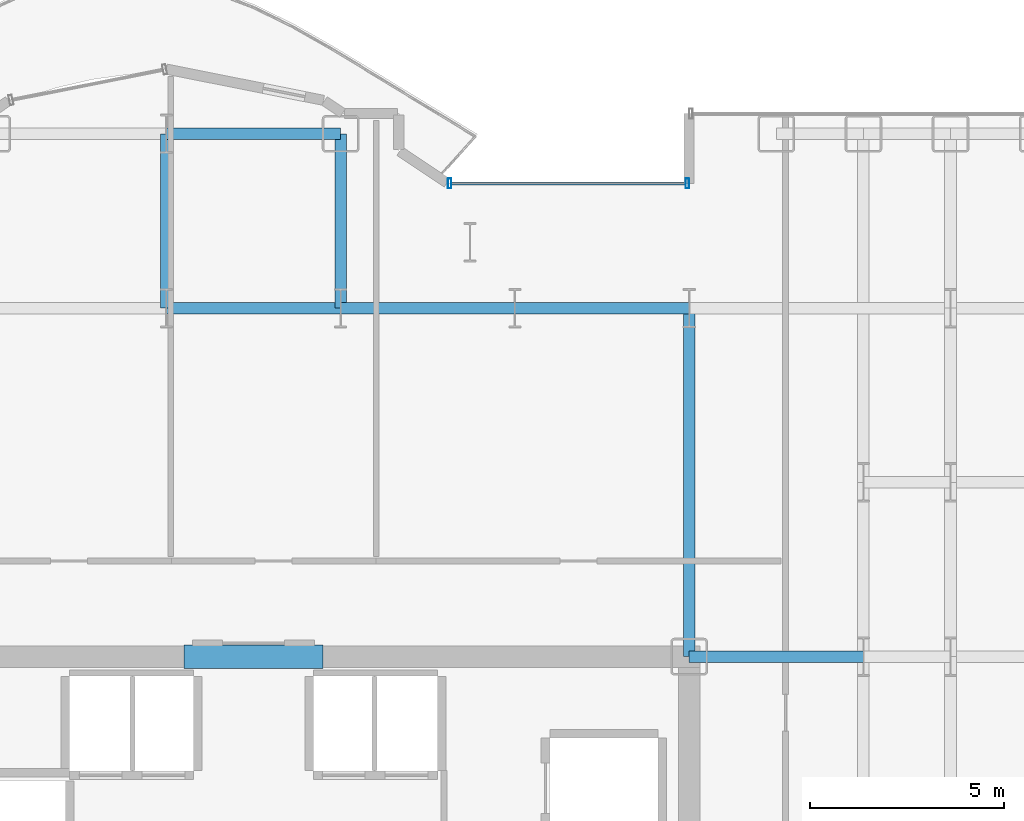
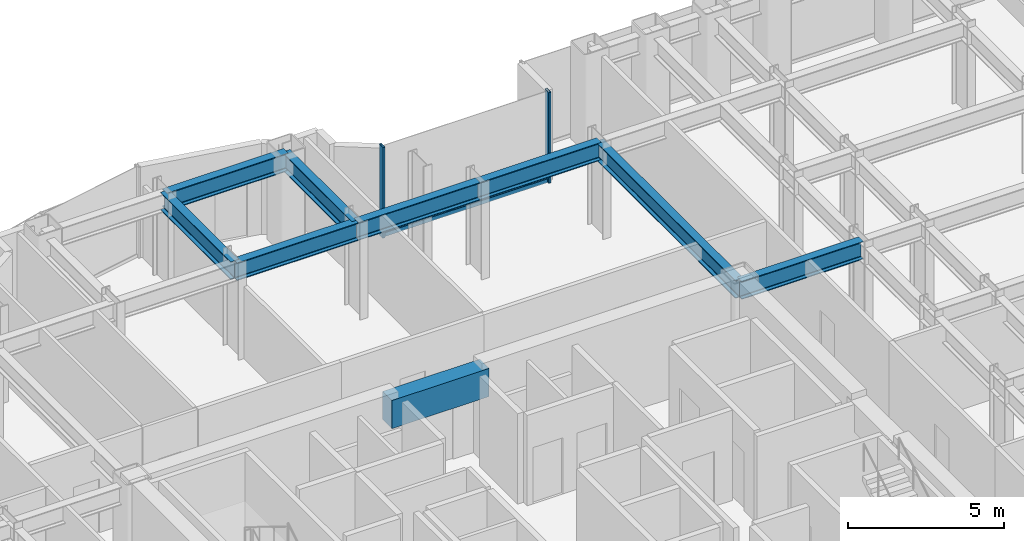
# One storey, part 14 of 28: 9 beams, 3 members, 1 element without a shape of its own.
"""IFC4 building model written with IfcOpenShell, lengths in metres."""

from ifc_helpers import new_model, si_unit, direction, frame, origin, origin_2d, place, context, subcontext, project, spatial, rectangle, hollow_rectangle, i_section, extrude, source, transform, mapped, material, layer, layer_set, material_profile, profile_set, type_object, element, aggregate, save


model = new_model("IFC4")

# Units and contexts
model_context = context("Model", 3, precision=1e-05, world=origin(), true_north=direction((0.0, 1.0)))
body_context = subcontext(model_context, "Body", "Model", "MODEL_VIEW")
ifc_project = project(units=[si_unit("LENGTHUNIT", "METRE"), si_unit("AREAUNIT", "SQUARE_METRE"), si_unit("VOLUMEUNIT", "CUBIC_METRE"), si_unit("PLANEANGLEUNIT", "RADIAN"), si_unit("MASSUNIT", "GRAM", prefix="KILO")], contexts=[model_context])

# Site, building, storey
site_placement = place(None, origin())
site = spatial("IfcSite", under=ifc_project, at=site_placement, CompositionType="ELEMENT")
building_placement = place(site_placement, origin())
building = spatial("IfcBuilding", under=site, at=building_placement, Name="Nefas-Gora Pilgrimage Tower", CompositionType="ELEMENT")
storey_placement = place(building_placement, frame((0.0, 0.0, 102.199951171875)))
storey = spatial("IfcBuildingStorey", under=building, at=storey_placement, Name="L24", CompositionType="ELEMENT", Elevation=102.199951171875)

# Beams
ifc_material_1 = material(Name="Concrete C60/75", Category="concrete")
ifc_material_profile_1 = material_profile(ifc_material_1, rectangle(XDim=0.60009765625, YDim=1.10009765625, at=origin_2d()), Name="RC 600x1100")
ifc_profile_set_1 = profile_set([ifc_material_profile_1], Name="Concrete C60/75")
beam_type_1 = type_object("IfcBeamType", Name="BM-LIN-RC1100", PredefinedType="LINTEL", material=ifc_profile_set_1)
shared_shape_1 = source(origin(), body_context, "Body", "SweptSolid", [
    extrude(rectangle(XDim=0.60009765625, YDim=1.10009765625, at=origin_2d()), origin(), (0.0, 0.0, 1.0), 3.60009765625),
])
beam_1_placement = place(storey_placement, frame((-1.800048828125, 9.0, 3.0), z_axis=(1.0, 0.0, 0.0), x_axis=(0.0, 1.0, 0.0)))
element("IfcBeam", 1, at=beam_1_placement, inside=storey, type_object=beam_type_1, Name="L24 Core Coupling Lintel Beam N", PredefinedType="LINTEL", context=body_context, shape_type="MappedRepresentation", body=[
    mapped(shared_shape_1, transform((0.0, 0.0, 0.0), x_axis=(1.0, 0.0, 0.0), y_axis=(0.0, 1.0, 0.0), z_axis=(0.0, 0.0, 1.0), scale=1.0)),
])
ifc_material_2 = material(Name="Steel S355", Category="steel")
ifc_material_profile_2 = material_profile(ifc_material_2, i_section(OverallWidth=0.300048828125, OverallDepth=0.699951171875, WebThickness=0.01708984375, FlangeThickness=0.031982421875, FilletRadius=0.027099609375, at=origin_2d()), Name="HEB 700")
ifc_profile_set_2 = profile_set([ifc_material_profile_2], Name="Steel S355")
beam_type_2 = type_object("IfcBeamType", Name="BM-GIR-HEB700", PredefinedType="BEAM", material=ifc_profile_set_2)
shared_shape_2 = source(origin(), body_context, "Body", "SweptSolid", [
    extrude(i_section(OverallWidth=0.300048828125, OverallDepth=0.699951171875, WebThickness=0.01708984375, FlangeThickness=0.031982421875, FilletRadius=0.027099609375, at=origin_2d()), origin(), (0.0, 0.0, 1.0), 9.0),
])
beam_2_placement = place(storey_placement, frame((11.25, 9.0, 3.199951171875), z_axis=(0.0, 1.0, 0.0), x_axis=(-1.0, 0.0, 0.0)))
element("IfcBeam", 2, at=beam_2_placement, inside=storey, type_object=beam_type_2, Name="L24 G-02 beam", PredefinedType="BEAM", context=body_context, shape_type="MappedRepresentation", body=[
    mapped(shared_shape_2, transform((0.0, 0.0, 0.0), x_axis=(1.0, 0.0, 0.0), y_axis=(0.0, 1.0, 0.0), z_axis=(0.0, 0.0, 1.0), scale=1.0)),
])
shared_shape_3 = source(origin(), body_context, "Body", "SweptSolid", [
    extrude(i_section(OverallWidth=0.300048828125, OverallDepth=0.699951171875, WebThickness=0.01708984375, FlangeThickness=0.031982421875, FilletRadius=0.027099609375, at=origin_2d()), origin(), (0.0, 0.0, 1.0), 4.5),
])
for number, where, z_axis, x_axis, name in (
    (3, (-2.25, 18.0, 3.199951171875), (0.0, 1.0, 0.0), (-1.0, 0.0, 0.0), "L24 G-02 beam"),
    (4, (-2.25, 18.0, 3.199951171875), (1.0, 0.0, 0.0), (0.0, 1.0, 0.0), "L24 G-02 beam"),
    (5, (-2.25, 22.5, 3.199951171875), (1.0, 0.0, 0.0), (0.0, 1.0, 0.0), "L24 G-02 beam"),
    (6, (2.25, 18.0, 3.199951171875), (0.0, 1.0, 0.0), (-1.0, 0.0, 0.0), "L24 G-02 beam"),
    (7, (2.25, 18.0, 3.199951171875), (1.0, 0.0, 0.0), (0.0, 1.0, 0.0), "L24 G-02 beam"),
    (8, (6.75, 18.0, 3.199951171875), (1.0, 0.0, 0.0), (0.0, 1.0, 0.0), "L24 G-02 beam"),
    (9, (11.25, 9.0, 3.199951171875), (1.0, 0.0, 0.0), (0.0, 1.0, 0.0), "L24 G-02 beam"),
):
    element("IfcBeam", number, at=place(storey_placement, frame(where, z_axis=z_axis, x_axis=x_axis)), inside=storey, type_object=beam_type_2, Name=name, PredefinedType="BEAM", context=body_context, shape_type="MappedRepresentation", body=[
        mapped(shared_shape_3, transform((0.0, 0.0, 0.0), x_axis=(1.0, 0.0, 0.0), y_axis=(0.0, 1.0, 0.0), z_axis=(0.0, 0.0, 1.0), scale=1.0)),
    ])

# Curtain wall, members
ifc_material_3 = material(Name="Dark ceramic-fritted solar-control aluminium-glass curtain wall", Category="aluminium")
ifc_layer = layer(ifc_material_3, 0.219970703125)
ifc_layer_set = layer_set([ifc_layer], Name="Dark ceramic-fritted solar-control aluminium-glass curtain wall")
curtain_wall_type = type_object("IfcCurtainWallType", Name="CW-SYS-5", PredefinedType="NOTDEFINED", material=ifc_layer_set)
curtain_wall_placement = place(storey_placement, origin())
curtain_wall = element("IfcCurtainWall", 10, at=curtain_wall_placement, inside=storey, type_object=curtain_wall_type, Name="L24 Unitised Curtain Wall CW5", PredefinedType="NOTDEFINED")
ifc_material_4 = material(Name="Anodised architectural aluminium", Category="aluminium")
ifc_material_profile_3 = material_profile(ifc_material_4, hollow_rectangle(XDim=0.090087890625, YDim=0.260009765625, WallThickness=0.006103515625, InnerFilletRadius=0.006103515625, OuterFilletRadius=0.011962890625, at=origin_2d()), Name="ALU MULLION 90x260")
ifc_profile_set_3 = profile_set([ifc_material_profile_3], Name="Anodised architectural aluminium")
member_type_1 = type_object("IfcMemberType", Name="CWM-MUL-5", PredefinedType="MULLION", material=ifc_profile_set_3)
shared_shape_4 = source(origin(), body_context, "Body", "SweptSolid", [
    extrude(hollow_rectangle(XDim=0.090087890625, YDim=0.260009765625, WallThickness=0.006103515625, InnerFilletRadius=0.006103515625, OuterFilletRadius=0.011962890625, at=origin_2d()), origin(), (0.0, 0.0, 1.0), 3.550048828125),
])
member_1_placement = place(storey_placement, frame((11.205078125, 21.219970703125, 0.0), z_axis=(0.0, 0.0, 1.0), x_axis=(-1.0, 0.0, 0.0)))
member_1 = element("IfcMember", 11, at=member_1_placement, type_object=member_type_1, Name="CW5 Mullion 1", PredefinedType="MULLION", context=body_context, shape_type="MappedRepresentation", body=[
    mapped(shared_shape_4, transform((0.0, 0.0, 0.0), x_axis=(1.0, 0.0, 0.0), y_axis=(0.0, 1.0, 0.0), z_axis=(0.0, 0.0, 1.0), scale=1.0)),
])
member_2_placement = place(storey_placement, frame((5.06298828125, 21.219970703125, 0.0), z_axis=(0.0, 0.0, 1.0), x_axis=(-1.0, 0.0, 0.0)))
member_2 = element("IfcMember", 12, at=member_2_placement, type_object=member_type_1, Name="CW5 Mullion 2", PredefinedType="MULLION", context=body_context, shape_type="MappedRepresentation", body=[
    mapped(shared_shape_4, transform((0.0, 0.0, 0.0), x_axis=(1.0, 0.0, 0.0), y_axis=(0.0, 1.0, 0.0), z_axis=(0.0, 0.0, 1.0), scale=1.0)),
])
ifc_material_profile_4 = material_profile(ifc_material_4, hollow_rectangle(XDim=0.080078125, YDim=0.159912109375, WallThickness=0.00439453125, InnerFilletRadius=0.00439453125, OuterFilletRadius=0.009033203125, at=origin_2d()), Name="ALU TRANSOM 80x160")
ifc_profile_set_4 = profile_set([ifc_material_profile_4], Name="Anodised architectural aluminium")
member_type_2 = type_object("IfcMemberType", Name="CWM-TRN-5", PredefinedType="USERDEFINED", material=ifc_profile_set_4)
shared_shape_5 = source(origin(), body_context, "Body", "SweptSolid", [
    extrude(hollow_rectangle(XDim=0.080078125, YDim=0.159912109375, WallThickness=0.00439453125, InnerFilletRadius=0.00439453125, OuterFilletRadius=0.009033203125, at=origin_2d()), origin(), (0.0, 0.0, 1.0), 6.052001953125),
])
member_3_placement = place(storey_placement, frame((11.159912109375, 21.219970703125, 0.050048828125), z_axis=(-1.0, 0.0, 0.0), x_axis=(0.0, -1.0, 0.0)))
member_3 = element("IfcMember", 13, at=member_3_placement, type_object=member_type_2, Name="CW5 Spandrel Transom", ObjectType="TRANSOM", PredefinedType="USERDEFINED", context=body_context, shape_type="MappedRepresentation", body=[
    mapped(shared_shape_5, transform((0.0, 0.0, 0.0), x_axis=(1.0, 0.0, 0.0), y_axis=(0.0, 1.0, 0.0), z_axis=(0.0, 0.0, 1.0), scale=1.0)),
])
aggregate(curtain_wall, [member_1, member_2, member_3])

save(model, "model.ifc")
